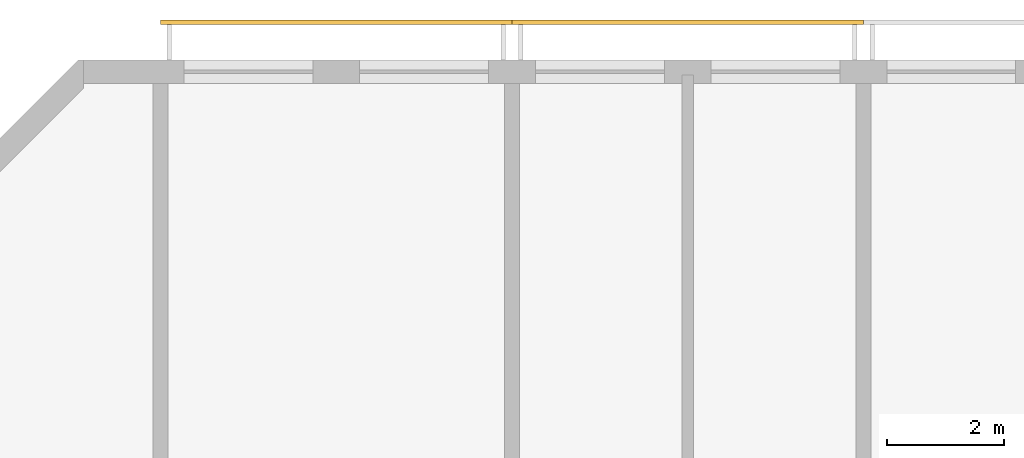
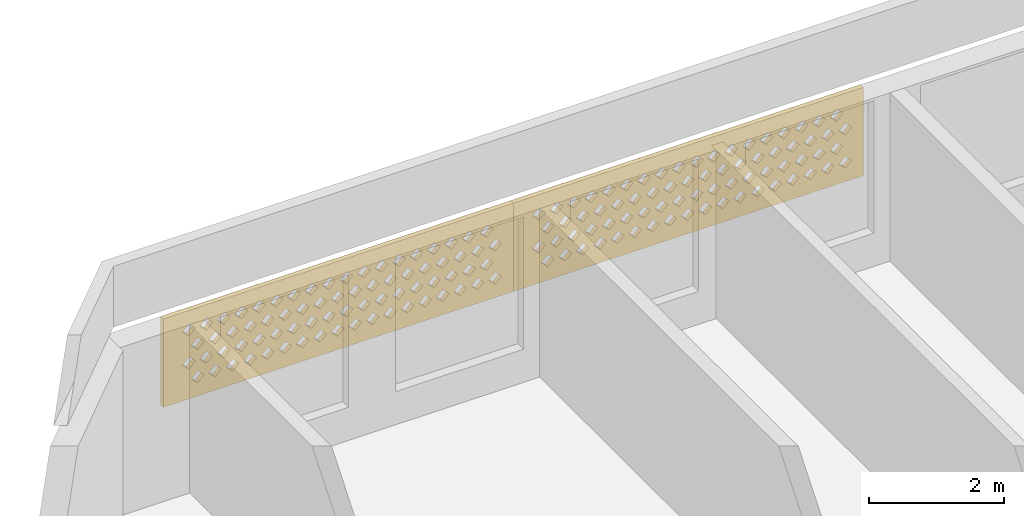
# One storey, part 5 of 7: 2 coverings.
"""IFC4 building model written with IfcOpenShell, lengths in metres."""

from ifc_helpers import new_model, si_unit, direction, frame, origin, place, context, subcontext, project, spatial, polyline, outline, extrude, source, transform, mapped, material, material_profile, profile_set, type_object, element, save


model = new_model("IFC4")

# Units and contexts
model_context = context("Model", 3, precision=1e-05, world=origin(), true_north=direction((0.0, 1.0)))
body_context = subcontext(model_context, "Body", "Model", "MODEL_VIEW")
ifc_project = project(units=[si_unit("LENGTHUNIT", "METRE"), si_unit("AREAUNIT", "SQUARE_METRE"), si_unit("VOLUMEUNIT", "CUBIC_METRE"), si_unit("PLANEANGLEUNIT", "RADIAN"), si_unit("MASSUNIT", "GRAM", prefix="KILO")], contexts=[model_context])

# Site, building, storey
site_placement = place(None, origin())
site = spatial("IfcSite", under=ifc_project, at=site_placement, CompositionType="ELEMENT")
building_placement = place(site_placement, origin())
building = spatial("IfcBuilding", under=site, at=building_placement, Name="Poui Terraces", CompositionType="ELEMENT")
storey_placement = place(building_placement, frame((0.0, 0.0, 288.89990234375)))
storey = spatial("IfcBuildingStorey", under=building, at=storey_placement, Name="L80 CROWN", CompositionType="ELEMENT", Elevation=288.89990234375)

# Coverings
ifc_material = material(Name="Terracotta screen", Category="masonry")
ifc_material_profile = material_profile(ifc_material, outline(polyline([(-3.0, -0.800048828125), (3.0, -0.800048828125), (3.0, 0.800048828125), (-3.0, 0.800048828125), (-3.0, -0.800048828125)]), holes=[polyline([(-2.800048828125, -0.449951171875), (-2.68994140625, -0.56005859375), (-2.580078125, -0.449951171875), (-2.68994140625, -0.340087890625), (-2.800048828125, -0.449951171875)]), polyline([(-2.5, -0.449951171875), (-2.389892578125, -0.56005859375), (-2.280029296875, -0.449951171875), (-2.389892578125, -0.340087890625), (-2.5, -0.449951171875)]), polyline([(-2.199951171875, -0.449951171875), (-2.090087890625, -0.56005859375), (-1.97998046875, -0.449951171875), (-2.090087890625, -0.340087890625), (-2.199951171875, -0.449951171875)]), polyline([(-1.89990234375, -0.449951171875), (-1.7900390625, -0.56005859375), (-1.679931640625, -0.449951171875), (-1.7900390625, -0.340087890625), (-1.89990234375, -0.449951171875)]), polyline([(-1.60009765625, -0.449951171875), (-1.489990234375, -0.56005859375), (-1.3798828125, -0.449951171875), (-1.489990234375, -0.340087890625), (-1.60009765625, -0.449951171875)]), polyline([(-1.300048828125, -0.449951171875), (-1.18994140625, -0.56005859375), (-1.080078125, -0.449951171875), (-1.18994140625, -0.340087890625), (-1.300048828125, -0.449951171875)]), polyline([(-1.0, -0.449951171875), (-0.889892578125, -0.56005859375), (-0.780029296875, -0.449951171875), (-0.889892578125, -0.340087890625), (-1.0, -0.449951171875)]), polyline([(-0.699951171875, -0.449951171875), (-0.590087890625, -0.56005859375), (-0.47998046875, -0.449951171875), (-0.590087890625, -0.340087890625), (-0.699951171875, -0.449951171875)]), polyline([(-0.39990234375, -0.449951171875), (-0.2900390625, -0.56005859375), (-0.179931640625, -0.449951171875), (-0.2900390625, -0.340087890625), (-0.39990234375, -0.449951171875)]), polyline([(-0.10009765625, -0.449951171875), (0.010009765625, -0.56005859375), (0.1201171875, -0.449951171875), (0.010009765625, -0.340087890625), (-0.10009765625, -0.449951171875)]), polyline([(0.199951171875, -0.449951171875), (0.31005859375, -0.56005859375), (0.419921875, -0.449951171875), (0.31005859375, -0.340087890625), (0.199951171875, -0.449951171875)]), polyline([(0.5, -0.449951171875), (0.610107421875, -0.56005859375), (0.719970703125, -0.449951171875), (0.610107421875, -0.340087890625), (0.5, -0.449951171875)]), polyline([(0.800048828125, -0.449951171875), (0.909912109375, -0.56005859375), (1.02001953125, -0.449951171875), (0.909912109375, -0.340087890625), (0.800048828125, -0.449951171875)]), polyline([(1.10009765625, -0.449951171875), (1.2099609375, -0.56005859375), (1.320068359375, -0.449951171875), (1.2099609375, -0.340087890625), (1.10009765625, -0.449951171875)]), polyline([(1.39990234375, -0.449951171875), (1.510009765625, -0.56005859375), (1.6201171875, -0.449951171875), (1.510009765625, -0.340087890625), (1.39990234375, -0.449951171875)]), polyline([(1.699951171875, -0.449951171875), (1.81005859375, -0.56005859375), (1.919921875, -0.449951171875), (1.81005859375, -0.340087890625), (1.699951171875, -0.449951171875)]), polyline([(2.0, -0.449951171875), (2.110107421875, -0.56005859375), (2.219970703125, -0.449951171875), (2.110107421875, -0.340087890625), (2.0, -0.449951171875)]), polyline([(2.300048828125, -0.449951171875), (2.409912109375, -0.56005859375), (2.52001953125, -0.449951171875), (2.409912109375, -0.340087890625), (2.300048828125, -0.449951171875)]), polyline([(-2.64990234375, -0.14990234375), (-2.5400390625, -0.260009765625), (-2.429931640625, -0.14990234375), (-2.5400390625, -0.0400390625), (-2.64990234375, -0.14990234375)]), polyline([(-2.35009765625, -0.14990234375), (-2.239990234375, -0.260009765625), (-2.1298828125, -0.14990234375), (-2.239990234375, -0.0400390625), (-2.35009765625, -0.14990234375)]), polyline([(-2.050048828125, -0.14990234375), (-1.93994140625, -0.260009765625), (-1.830078125, -0.14990234375), (-1.93994140625, -0.0400390625), (-2.050048828125, -0.14990234375)]), polyline([(-1.75, -0.14990234375), (-1.639892578125, -0.260009765625), (-1.530029296875, -0.14990234375), (-1.639892578125, -0.0400390625), (-1.75, -0.14990234375)]), polyline([(-1.449951171875, -0.14990234375), (-1.340087890625, -0.260009765625), (-1.22998046875, -0.14990234375), (-1.340087890625, -0.0400390625), (-1.449951171875, -0.14990234375)]), polyline([(-1.14990234375, -0.14990234375), (-1.0400390625, -0.260009765625), (-0.929931640625, -0.14990234375), (-1.0400390625, -0.0400390625), (-1.14990234375, -0.14990234375)]), polyline([(-0.85009765625, -0.14990234375), (-0.739990234375, -0.260009765625), (-0.6298828125, -0.14990234375), (-0.739990234375, -0.0400390625), (-0.85009765625, -0.14990234375)]), polyline([(-0.550048828125, -0.14990234375), (-0.43994140625, -0.260009765625), (-0.330078125, -0.14990234375), (-0.43994140625, -0.0400390625), (-0.550048828125, -0.14990234375)]), polyline([(-0.25, -0.14990234375), (-0.139892578125, -0.260009765625), (-0.030029296875, -0.14990234375), (-0.139892578125, -0.0400390625), (-0.25, -0.14990234375)]), polyline([(0.050048828125, -0.14990234375), (0.159912109375, -0.260009765625), (0.27001953125, -0.14990234375), (0.159912109375, -0.0400390625), (0.050048828125, -0.14990234375)]), polyline([(0.35009765625, -0.14990234375), (0.4599609375, -0.260009765625), (0.570068359375, -0.14990234375), (0.4599609375, -0.0400390625), (0.35009765625, -0.14990234375)]), polyline([(0.64990234375, -0.14990234375), (0.760009765625, -0.260009765625), (0.8701171875, -0.14990234375), (0.760009765625, -0.0400390625), (0.64990234375, -0.14990234375)]), polyline([(0.949951171875, -0.14990234375), (1.06005859375, -0.260009765625), (1.169921875, -0.14990234375), (1.06005859375, -0.0400390625), (0.949951171875, -0.14990234375)]), polyline([(1.25, -0.14990234375), (1.360107421875, -0.260009765625), (1.469970703125, -0.14990234375), (1.360107421875, -0.0400390625), (1.25, -0.14990234375)]), polyline([(1.550048828125, -0.14990234375), (1.659912109375, -0.260009765625), (1.77001953125, -0.14990234375), (1.659912109375, -0.0400390625), (1.550048828125, -0.14990234375)]), polyline([(1.85009765625, -0.14990234375), (1.9599609375, -0.260009765625), (2.070068359375, -0.14990234375), (1.9599609375, -0.0400390625), (1.85009765625, -0.14990234375)]), polyline([(2.14990234375, -0.14990234375), (2.260009765625, -0.260009765625), (2.3701171875, -0.14990234375), (2.260009765625, -0.0400390625), (2.14990234375, -0.14990234375)]), polyline([(2.449951171875, -0.14990234375), (2.56005859375, -0.260009765625), (2.669921875, -0.14990234375), (2.56005859375, -0.0400390625), (2.449951171875, -0.14990234375)]), polyline([(-2.800048828125, 0.14990234375), (-2.68994140625, 0.0400390625), (-2.580078125, 0.14990234375), (-2.68994140625, 0.260009765625), (-2.800048828125, 0.14990234375)]), polyline([(-2.5, 0.14990234375), (-2.389892578125, 0.0400390625), (-2.280029296875, 0.14990234375), (-2.389892578125, 0.260009765625), (-2.5, 0.14990234375)]), polyline([(-2.199951171875, 0.14990234375), (-2.090087890625, 0.0400390625), (-1.97998046875, 0.14990234375), (-2.090087890625, 0.260009765625), (-2.199951171875, 0.14990234375)]), polyline([(-1.89990234375, 0.14990234375), (-1.7900390625, 0.0400390625), (-1.679931640625, 0.14990234375), (-1.7900390625, 0.260009765625), (-1.89990234375, 0.14990234375)]), polyline([(-1.60009765625, 0.14990234375), (-1.489990234375, 0.0400390625), (-1.3798828125, 0.14990234375), (-1.489990234375, 0.260009765625), (-1.60009765625, 0.14990234375)]), polyline([(-1.300048828125, 0.14990234375), (-1.18994140625, 0.0400390625), (-1.080078125, 0.14990234375), (-1.18994140625, 0.260009765625), (-1.300048828125, 0.14990234375)]), polyline([(-1.0, 0.14990234375), (-0.889892578125, 0.0400390625), (-0.780029296875, 0.14990234375), (-0.889892578125, 0.260009765625), (-1.0, 0.14990234375)]), polyline([(-0.699951171875, 0.14990234375), (-0.590087890625, 0.0400390625), (-0.47998046875, 0.14990234375), (-0.590087890625, 0.260009765625), (-0.699951171875, 0.14990234375)]), polyline([(-0.39990234375, 0.14990234375), (-0.2900390625, 0.0400390625), (-0.179931640625, 0.14990234375), (-0.2900390625, 0.260009765625), (-0.39990234375, 0.14990234375)]), polyline([(-0.10009765625, 0.14990234375), (0.010009765625, 0.0400390625), (0.1201171875, 0.14990234375), (0.010009765625, 0.260009765625), (-0.10009765625, 0.14990234375)]), polyline([(0.199951171875, 0.14990234375), (0.31005859375, 0.0400390625), (0.419921875, 0.14990234375), (0.31005859375, 0.260009765625), (0.199951171875, 0.14990234375)]), polyline([(0.5, 0.14990234375), (0.610107421875, 0.0400390625), (0.719970703125, 0.14990234375), (0.610107421875, 0.260009765625), (0.5, 0.14990234375)]), polyline([(0.800048828125, 0.14990234375), (0.909912109375, 0.0400390625), (1.02001953125, 0.14990234375), (0.909912109375, 0.260009765625), (0.800048828125, 0.14990234375)]), polyline([(1.10009765625, 0.14990234375), (1.2099609375, 0.0400390625), (1.320068359375, 0.14990234375), (1.2099609375, 0.260009765625), (1.10009765625, 0.14990234375)]), polyline([(1.39990234375, 0.14990234375), (1.510009765625, 0.0400390625), (1.6201171875, 0.14990234375), (1.510009765625, 0.260009765625), (1.39990234375, 0.14990234375)]), polyline([(1.699951171875, 0.14990234375), (1.81005859375, 0.0400390625), (1.919921875, 0.14990234375), (1.81005859375, 0.260009765625), (1.699951171875, 0.14990234375)]), polyline([(2.0, 0.14990234375), (2.110107421875, 0.0400390625), (2.219970703125, 0.14990234375), (2.110107421875, 0.260009765625), (2.0, 0.14990234375)]), polyline([(2.300048828125, 0.14990234375), (2.409912109375, 0.0400390625), (2.52001953125, 0.14990234375), (2.409912109375, 0.260009765625), (2.300048828125, 0.14990234375)]), polyline([(-2.64990234375, 0.449951171875), (-2.5400390625, 0.340087890625), (-2.429931640625, 0.449951171875), (-2.5400390625, 0.56005859375), (-2.64990234375, 0.449951171875)]), polyline([(-2.35009765625, 0.449951171875), (-2.239990234375, 0.340087890625), (-2.1298828125, 0.449951171875), (-2.239990234375, 0.56005859375), (-2.35009765625, 0.449951171875)]), polyline([(-2.050048828125, 0.449951171875), (-1.93994140625, 0.340087890625), (-1.830078125, 0.449951171875), (-1.93994140625, 0.56005859375), (-2.050048828125, 0.449951171875)]), polyline([(-1.75, 0.449951171875), (-1.639892578125, 0.340087890625), (-1.530029296875, 0.449951171875), (-1.639892578125, 0.56005859375), (-1.75, 0.449951171875)]), polyline([(-1.449951171875, 0.449951171875), (-1.340087890625, 0.340087890625), (-1.22998046875, 0.449951171875), (-1.340087890625, 0.56005859375), (-1.449951171875, 0.449951171875)]), polyline([(-1.14990234375, 0.449951171875), (-1.0400390625, 0.340087890625), (-0.929931640625, 0.449951171875), (-1.0400390625, 0.56005859375), (-1.14990234375, 0.449951171875)]), polyline([(-0.85009765625, 0.449951171875), (-0.739990234375, 0.340087890625), (-0.6298828125, 0.449951171875), (-0.739990234375, 0.56005859375), (-0.85009765625, 0.449951171875)]), polyline([(-0.550048828125, 0.449951171875), (-0.43994140625, 0.340087890625), (-0.330078125, 0.449951171875), (-0.43994140625, 0.56005859375), (-0.550048828125, 0.449951171875)]), polyline([(-0.25, 0.449951171875), (-0.139892578125, 0.340087890625), (-0.030029296875, 0.449951171875), (-0.139892578125, 0.56005859375), (-0.25, 0.449951171875)]), polyline([(0.050048828125, 0.449951171875), (0.159912109375, 0.340087890625), (0.27001953125, 0.449951171875), (0.159912109375, 0.56005859375), (0.050048828125, 0.449951171875)]), polyline([(0.35009765625, 0.449951171875), (0.4599609375, 0.340087890625), (0.570068359375, 0.449951171875), (0.4599609375, 0.56005859375), (0.35009765625, 0.449951171875)]), polyline([(0.64990234375, 0.449951171875), (0.760009765625, 0.340087890625), (0.8701171875, 0.449951171875), (0.760009765625, 0.56005859375), (0.64990234375, 0.449951171875)]), polyline([(0.949951171875, 0.449951171875), (1.06005859375, 0.340087890625), (1.169921875, 0.449951171875), (1.06005859375, 0.56005859375), (0.949951171875, 0.449951171875)]), polyline([(1.25, 0.449951171875), (1.360107421875, 0.340087890625), (1.469970703125, 0.449951171875), (1.360107421875, 0.56005859375), (1.25, 0.449951171875)]), polyline([(1.550048828125, 0.449951171875), (1.659912109375, 0.340087890625), (1.77001953125, 0.449951171875), (1.659912109375, 0.56005859375), (1.550048828125, 0.449951171875)]), polyline([(1.85009765625, 0.449951171875), (1.9599609375, 0.340087890625), (2.070068359375, 0.449951171875), (1.9599609375, 0.56005859375), (1.85009765625, 0.449951171875)]), polyline([(2.14990234375, 0.449951171875), (2.260009765625, 0.340087890625), (2.3701171875, 0.449951171875), (2.260009765625, 0.56005859375), (2.14990234375, 0.449951171875)]), polyline([(2.449951171875, 0.449951171875), (2.56005859375, 0.340087890625), (2.669921875, 0.449951171875), (2.56005859375, 0.56005859375), (2.449951171875, 0.449951171875)])]), Name="TERRACOTTA SOLAR SCREEN 6000X1600")
ifc_profile_set = profile_set([ifc_material_profile], Name="Terracotta screen")
covering_type = type_object("IfcCoveringType", Name="TERRACOTTA SOLAR SCREEN 6000X1600", PredefinedType="CLADDING", material=ifc_profile_set)
shared_shape = source(origin(), body_context, "Body", "SweptSolid", [
    extrude(outline(polyline([(-3.0, -0.800048828125), (3.0, -0.800048828125), (3.0, 0.800048828125), (-3.0, 0.800048828125), (-3.0, -0.800048828125)]), holes=[polyline([(-2.800048828125, -0.449951171875), (-2.68994140625, -0.56005859375), (-2.580078125, -0.449951171875), (-2.68994140625, -0.340087890625), (-2.800048828125, -0.449951171875)]), polyline([(-2.5, -0.449951171875), (-2.389892578125, -0.56005859375), (-2.280029296875, -0.449951171875), (-2.389892578125, -0.340087890625), (-2.5, -0.449951171875)]), polyline([(-2.199951171875, -0.449951171875), (-2.090087890625, -0.56005859375), (-1.97998046875, -0.449951171875), (-2.090087890625, -0.340087890625), (-2.199951171875, -0.449951171875)]), polyline([(-1.89990234375, -0.449951171875), (-1.7900390625, -0.56005859375), (-1.679931640625, -0.449951171875), (-1.7900390625, -0.340087890625), (-1.89990234375, -0.449951171875)]), polyline([(-1.60009765625, -0.449951171875), (-1.489990234375, -0.56005859375), (-1.3798828125, -0.449951171875), (-1.489990234375, -0.340087890625), (-1.60009765625, -0.449951171875)]), polyline([(-1.300048828125, -0.449951171875), (-1.18994140625, -0.56005859375), (-1.080078125, -0.449951171875), (-1.18994140625, -0.340087890625), (-1.300048828125, -0.449951171875)]), polyline([(-1.0, -0.449951171875), (-0.889892578125, -0.56005859375), (-0.780029296875, -0.449951171875), (-0.889892578125, -0.340087890625), (-1.0, -0.449951171875)]), polyline([(-0.699951171875, -0.449951171875), (-0.590087890625, -0.56005859375), (-0.47998046875, -0.449951171875), (-0.590087890625, -0.340087890625), (-0.699951171875, -0.449951171875)]), polyline([(-0.39990234375, -0.449951171875), (-0.2900390625, -0.56005859375), (-0.179931640625, -0.449951171875), (-0.2900390625, -0.340087890625), (-0.39990234375, -0.449951171875)]), polyline([(-0.10009765625, -0.449951171875), (0.010009765625, -0.56005859375), (0.1201171875, -0.449951171875), (0.010009765625, -0.340087890625), (-0.10009765625, -0.449951171875)]), polyline([(0.199951171875, -0.449951171875), (0.31005859375, -0.56005859375), (0.419921875, -0.449951171875), (0.31005859375, -0.340087890625), (0.199951171875, -0.449951171875)]), polyline([(0.5, -0.449951171875), (0.610107421875, -0.56005859375), (0.719970703125, -0.449951171875), (0.610107421875, -0.340087890625), (0.5, -0.449951171875)]), polyline([(0.800048828125, -0.449951171875), (0.909912109375, -0.56005859375), (1.02001953125, -0.449951171875), (0.909912109375, -0.340087890625), (0.800048828125, -0.449951171875)]), polyline([(1.10009765625, -0.449951171875), (1.2099609375, -0.56005859375), (1.320068359375, -0.449951171875), (1.2099609375, -0.340087890625), (1.10009765625, -0.449951171875)]), polyline([(1.39990234375, -0.449951171875), (1.510009765625, -0.56005859375), (1.6201171875, -0.449951171875), (1.510009765625, -0.340087890625), (1.39990234375, -0.449951171875)]), polyline([(1.699951171875, -0.449951171875), (1.81005859375, -0.56005859375), (1.919921875, -0.449951171875), (1.81005859375, -0.340087890625), (1.699951171875, -0.449951171875)]), polyline([(2.0, -0.449951171875), (2.110107421875, -0.56005859375), (2.219970703125, -0.449951171875), (2.110107421875, -0.340087890625), (2.0, -0.449951171875)]), polyline([(2.300048828125, -0.449951171875), (2.409912109375, -0.56005859375), (2.52001953125, -0.449951171875), (2.409912109375, -0.340087890625), (2.300048828125, -0.449951171875)]), polyline([(-2.64990234375, -0.14990234375), (-2.5400390625, -0.260009765625), (-2.429931640625, -0.14990234375), (-2.5400390625, -0.0400390625), (-2.64990234375, -0.14990234375)]), polyline([(-2.35009765625, -0.14990234375), (-2.239990234375, -0.260009765625), (-2.1298828125, -0.14990234375), (-2.239990234375, -0.0400390625), (-2.35009765625, -0.14990234375)]), polyline([(-2.050048828125, -0.14990234375), (-1.93994140625, -0.260009765625), (-1.830078125, -0.14990234375), (-1.93994140625, -0.0400390625), (-2.050048828125, -0.14990234375)]), polyline([(-1.75, -0.14990234375), (-1.639892578125, -0.260009765625), (-1.530029296875, -0.14990234375), (-1.639892578125, -0.0400390625), (-1.75, -0.14990234375)]), polyline([(-1.449951171875, -0.14990234375), (-1.340087890625, -0.260009765625), (-1.22998046875, -0.14990234375), (-1.340087890625, -0.0400390625), (-1.449951171875, -0.14990234375)]), polyline([(-1.14990234375, -0.14990234375), (-1.0400390625, -0.260009765625), (-0.929931640625, -0.14990234375), (-1.0400390625, -0.0400390625), (-1.14990234375, -0.14990234375)]), polyline([(-0.85009765625, -0.14990234375), (-0.739990234375, -0.260009765625), (-0.6298828125, -0.14990234375), (-0.739990234375, -0.0400390625), (-0.85009765625, -0.14990234375)]), polyline([(-0.550048828125, -0.14990234375), (-0.43994140625, -0.260009765625), (-0.330078125, -0.14990234375), (-0.43994140625, -0.0400390625), (-0.550048828125, -0.14990234375)]), polyline([(-0.25, -0.14990234375), (-0.139892578125, -0.260009765625), (-0.030029296875, -0.14990234375), (-0.139892578125, -0.0400390625), (-0.25, -0.14990234375)]), polyline([(0.050048828125, -0.14990234375), (0.159912109375, -0.260009765625), (0.27001953125, -0.14990234375), (0.159912109375, -0.0400390625), (0.050048828125, -0.14990234375)]), polyline([(0.35009765625, -0.14990234375), (0.4599609375, -0.260009765625), (0.570068359375, -0.14990234375), (0.4599609375, -0.0400390625), (0.35009765625, -0.14990234375)]), polyline([(0.64990234375, -0.14990234375), (0.760009765625, -0.260009765625), (0.8701171875, -0.14990234375), (0.760009765625, -0.0400390625), (0.64990234375, -0.14990234375)]), polyline([(0.949951171875, -0.14990234375), (1.06005859375, -0.260009765625), (1.169921875, -0.14990234375), (1.06005859375, -0.0400390625), (0.949951171875, -0.14990234375)]), polyline([(1.25, -0.14990234375), (1.360107421875, -0.260009765625), (1.469970703125, -0.14990234375), (1.360107421875, -0.0400390625), (1.25, -0.14990234375)]), polyline([(1.550048828125, -0.14990234375), (1.659912109375, -0.260009765625), (1.77001953125, -0.14990234375), (1.659912109375, -0.0400390625), (1.550048828125, -0.14990234375)]), polyline([(1.85009765625, -0.14990234375), (1.9599609375, -0.260009765625), (2.070068359375, -0.14990234375), (1.9599609375, -0.0400390625), (1.85009765625, -0.14990234375)]), polyline([(2.14990234375, -0.14990234375), (2.260009765625, -0.260009765625), (2.3701171875, -0.14990234375), (2.260009765625, -0.0400390625), (2.14990234375, -0.14990234375)]), polyline([(2.449951171875, -0.14990234375), (2.56005859375, -0.260009765625), (2.669921875, -0.14990234375), (2.56005859375, -0.0400390625), (2.449951171875, -0.14990234375)]), polyline([(-2.800048828125, 0.14990234375), (-2.68994140625, 0.0400390625), (-2.580078125, 0.14990234375), (-2.68994140625, 0.260009765625), (-2.800048828125, 0.14990234375)]), polyline([(-2.5, 0.14990234375), (-2.389892578125, 0.0400390625), (-2.280029296875, 0.14990234375), (-2.389892578125, 0.260009765625), (-2.5, 0.14990234375)]), polyline([(-2.199951171875, 0.14990234375), (-2.090087890625, 0.0400390625), (-1.97998046875, 0.14990234375), (-2.090087890625, 0.260009765625), (-2.199951171875, 0.14990234375)]), polyline([(-1.89990234375, 0.14990234375), (-1.7900390625, 0.0400390625), (-1.679931640625, 0.14990234375), (-1.7900390625, 0.260009765625), (-1.89990234375, 0.14990234375)]), polyline([(-1.60009765625, 0.14990234375), (-1.489990234375, 0.0400390625), (-1.3798828125, 0.14990234375), (-1.489990234375, 0.260009765625), (-1.60009765625, 0.14990234375)]), polyline([(-1.300048828125, 0.14990234375), (-1.18994140625, 0.0400390625), (-1.080078125, 0.14990234375), (-1.18994140625, 0.260009765625), (-1.300048828125, 0.14990234375)]), polyline([(-1.0, 0.14990234375), (-0.889892578125, 0.0400390625), (-0.780029296875, 0.14990234375), (-0.889892578125, 0.260009765625), (-1.0, 0.14990234375)]), polyline([(-0.699951171875, 0.14990234375), (-0.590087890625, 0.0400390625), (-0.47998046875, 0.14990234375), (-0.590087890625, 0.260009765625), (-0.699951171875, 0.14990234375)]), polyline([(-0.39990234375, 0.14990234375), (-0.2900390625, 0.0400390625), (-0.179931640625, 0.14990234375), (-0.2900390625, 0.260009765625), (-0.39990234375, 0.14990234375)]), polyline([(-0.10009765625, 0.14990234375), (0.010009765625, 0.0400390625), (0.1201171875, 0.14990234375), (0.010009765625, 0.260009765625), (-0.10009765625, 0.14990234375)]), polyline([(0.199951171875, 0.14990234375), (0.31005859375, 0.0400390625), (0.419921875, 0.14990234375), (0.31005859375, 0.260009765625), (0.199951171875, 0.14990234375)]), polyline([(0.5, 0.14990234375), (0.610107421875, 0.0400390625), (0.719970703125, 0.14990234375), (0.610107421875, 0.260009765625), (0.5, 0.14990234375)]), polyline([(0.800048828125, 0.14990234375), (0.909912109375, 0.0400390625), (1.02001953125, 0.14990234375), (0.909912109375, 0.260009765625), (0.800048828125, 0.14990234375)]), polyline([(1.10009765625, 0.14990234375), (1.2099609375, 0.0400390625), (1.320068359375, 0.14990234375), (1.2099609375, 0.260009765625), (1.10009765625, 0.14990234375)]), polyline([(1.39990234375, 0.14990234375), (1.510009765625, 0.0400390625), (1.6201171875, 0.14990234375), (1.510009765625, 0.260009765625), (1.39990234375, 0.14990234375)]), polyline([(1.699951171875, 0.14990234375), (1.81005859375, 0.0400390625), (1.919921875, 0.14990234375), (1.81005859375, 0.260009765625), (1.699951171875, 0.14990234375)]), polyline([(2.0, 0.14990234375), (2.110107421875, 0.0400390625), (2.219970703125, 0.14990234375), (2.110107421875, 0.260009765625), (2.0, 0.14990234375)]), polyline([(2.300048828125, 0.14990234375), (2.409912109375, 0.0400390625), (2.52001953125, 0.14990234375), (2.409912109375, 0.260009765625), (2.300048828125, 0.14990234375)]), polyline([(-2.64990234375, 0.449951171875), (-2.5400390625, 0.340087890625), (-2.429931640625, 0.449951171875), (-2.5400390625, 0.56005859375), (-2.64990234375, 0.449951171875)]), polyline([(-2.35009765625, 0.449951171875), (-2.239990234375, 0.340087890625), (-2.1298828125, 0.449951171875), (-2.239990234375, 0.56005859375), (-2.35009765625, 0.449951171875)]), polyline([(-2.050048828125, 0.449951171875), (-1.93994140625, 0.340087890625), (-1.830078125, 0.449951171875), (-1.93994140625, 0.56005859375), (-2.050048828125, 0.449951171875)]), polyline([(-1.75, 0.449951171875), (-1.639892578125, 0.340087890625), (-1.530029296875, 0.449951171875), (-1.639892578125, 0.56005859375), (-1.75, 0.449951171875)]), polyline([(-1.449951171875, 0.449951171875), (-1.340087890625, 0.340087890625), (-1.22998046875, 0.449951171875), (-1.340087890625, 0.56005859375), (-1.449951171875, 0.449951171875)]), polyline([(-1.14990234375, 0.449951171875), (-1.0400390625, 0.340087890625), (-0.929931640625, 0.449951171875), (-1.0400390625, 0.56005859375), (-1.14990234375, 0.449951171875)]), polyline([(-0.85009765625, 0.449951171875), (-0.739990234375, 0.340087890625), (-0.6298828125, 0.449951171875), (-0.739990234375, 0.56005859375), (-0.85009765625, 0.449951171875)]), polyline([(-0.550048828125, 0.449951171875), (-0.43994140625, 0.340087890625), (-0.330078125, 0.449951171875), (-0.43994140625, 0.56005859375), (-0.550048828125, 0.449951171875)]), polyline([(-0.25, 0.449951171875), (-0.139892578125, 0.340087890625), (-0.030029296875, 0.449951171875), (-0.139892578125, 0.56005859375), (-0.25, 0.449951171875)]), polyline([(0.050048828125, 0.449951171875), (0.159912109375, 0.340087890625), (0.27001953125, 0.449951171875), (0.159912109375, 0.56005859375), (0.050048828125, 0.449951171875)]), polyline([(0.35009765625, 0.449951171875), (0.4599609375, 0.340087890625), (0.570068359375, 0.449951171875), (0.4599609375, 0.56005859375), (0.35009765625, 0.449951171875)]), polyline([(0.64990234375, 0.449951171875), (0.760009765625, 0.340087890625), (0.8701171875, 0.449951171875), (0.760009765625, 0.56005859375), (0.64990234375, 0.449951171875)]), polyline([(0.949951171875, 0.449951171875), (1.06005859375, 0.340087890625), (1.169921875, 0.449951171875), (1.06005859375, 0.56005859375), (0.949951171875, 0.449951171875)]), polyline([(1.25, 0.449951171875), (1.360107421875, 0.340087890625), (1.469970703125, 0.449951171875), (1.360107421875, 0.56005859375), (1.25, 0.449951171875)]), polyline([(1.550048828125, 0.449951171875), (1.659912109375, 0.340087890625), (1.77001953125, 0.449951171875), (1.659912109375, 0.56005859375), (1.550048828125, 0.449951171875)]), polyline([(1.85009765625, 0.449951171875), (1.9599609375, 0.340087890625), (2.070068359375, 0.449951171875), (1.9599609375, 0.56005859375), (1.85009765625, 0.449951171875)]), polyline([(2.14990234375, 0.449951171875), (2.260009765625, 0.340087890625), (2.3701171875, 0.449951171875), (2.260009765625, 0.56005859375), (2.14990234375, 0.449951171875)]), polyline([(2.449951171875, 0.449951171875), (2.56005859375, 0.340087890625), (2.669921875, 0.449951171875), (2.56005859375, 0.56005859375), (2.449951171875, 0.449951171875)])]), origin(), (0.0, 0.0, 1.0), 0.080078125),
])
for number, where, z_axis, x_axis, name in (
    (1, (27.0, 42.0, 1.7001953125), (0.0, 1.0, 0.0), (-1.0, 0.0, 0.0), "SOLAR SCREEN"),
    (2, (33.0, 42.0, 1.7001953125), (0.0, 1.0, 0.0), (-1.0, 0.0, 0.0), "SOLAR SCREEN"),
):
    element("IfcCovering", number, at=place(storey_placement, frame(where, z_axis=z_axis, x_axis=x_axis)), inside=storey, type_object=covering_type, Name=name, PredefinedType="CLADDING", context=body_context, shape_type="MappedRepresentation", body=[
        mapped(shared_shape, transform((0.0, 0.0, 0.0))),
    ])

save(model, "model.ifc")
